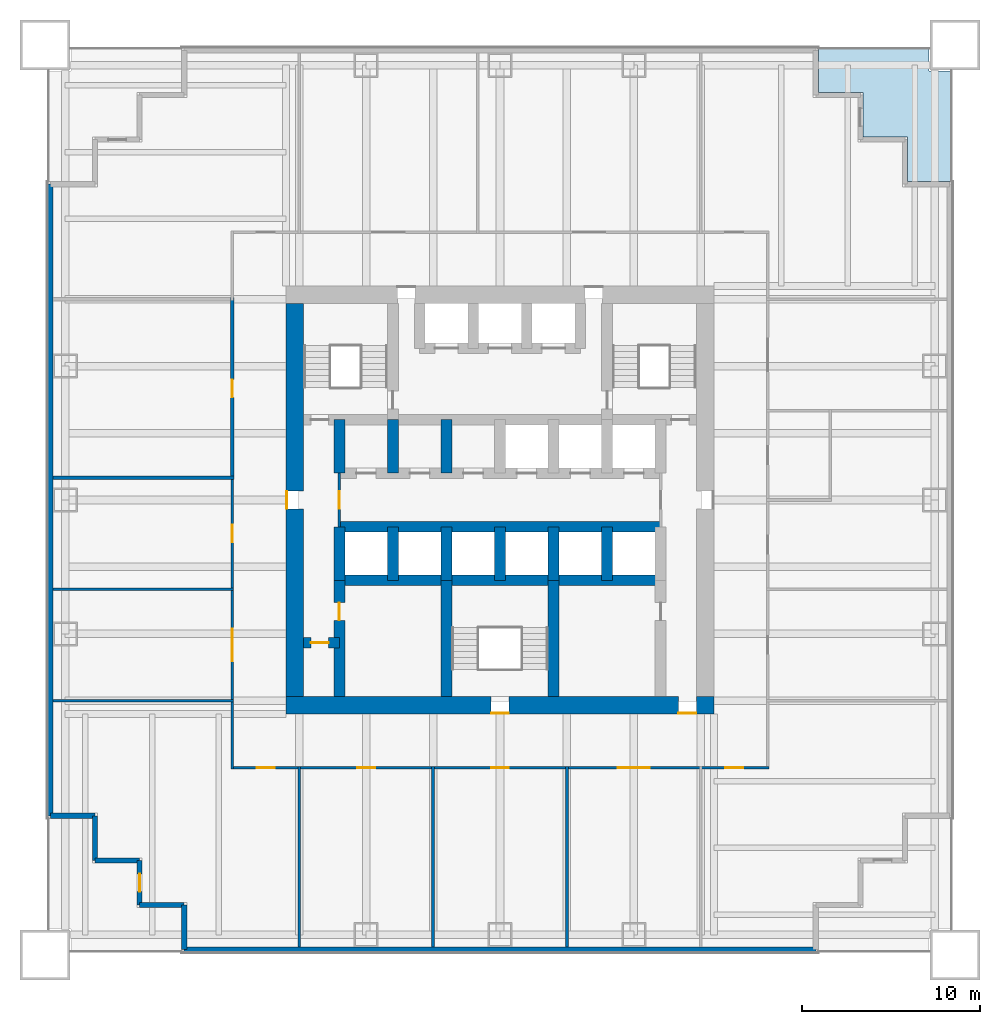
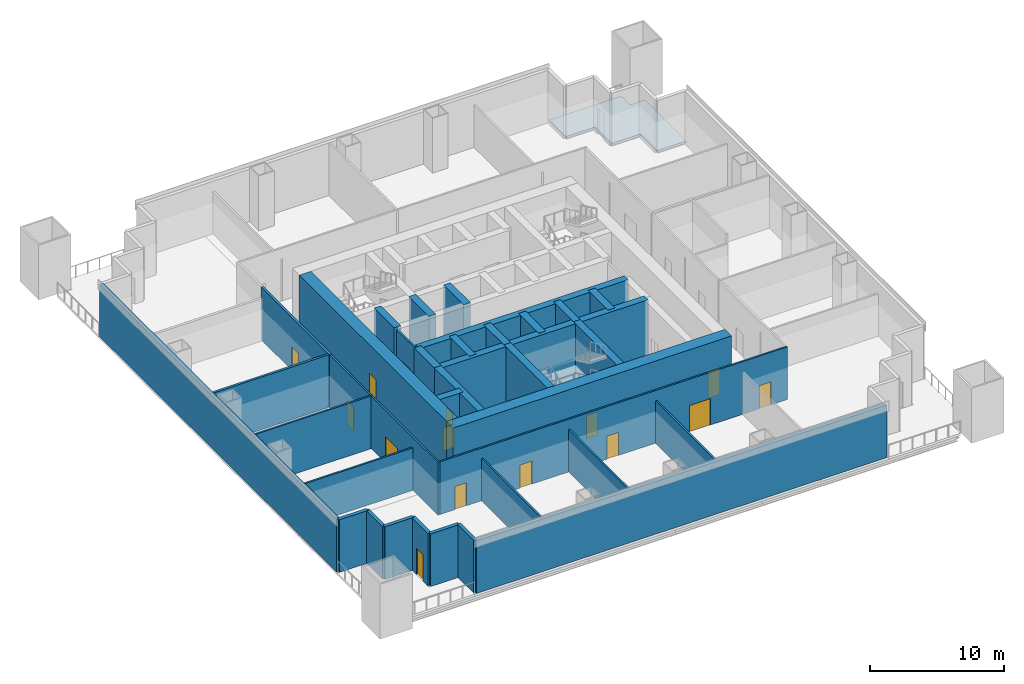
# One storey, part 2 of 6: 35 walls, 15 doors, 1 slab, 15 openings.
"""IFC4 building model written with IfcOpenShell, lengths in metres."""

from ifc_helpers import new_model, si_unit, direction, frame, frame_2d, origin, place, context, subcontext, project, spatial, polyline, rectangle, outline, extrude, material, layer, layer_set, type_object, element, fill, save


model = new_model("IFC4")

# Units and contexts
model_context = context("Model", 3, precision=1e-05, world=origin(), true_north=direction((0.0, 1.0)))
body_context = subcontext(model_context, "Body", "Model", "MODEL_VIEW")
ifc_project = project(units=[si_unit("LENGTHUNIT", "METRE"), si_unit("AREAUNIT", "SQUARE_METRE"), si_unit("VOLUMEUNIT", "CUBIC_METRE"), si_unit("PLANEANGLEUNIT", "RADIAN"), si_unit("MASSUNIT", "GRAM", prefix="KILO")], contexts=[model_context])

# Site, building, storey
site_placement = place(None, origin())
site = spatial("IfcSite", under=ifc_project, at=site_placement, CompositionType="ELEMENT")
building_placement = place(site_placement, origin())
building = spatial("IfcBuilding", under=site, at=building_placement, Name="Tarangal Relay Tower", CompositionType="ELEMENT")
storey_placement = place(building_placement, frame((0.0, 0.0, 83.39990234375)))
storey = spatial("IfcBuildingStorey", under=building, at=storey_placement, Name="L16", CompositionType="ELEMENT", Elevation=83.39990234375)

# Slab
ifc_material_1 = material(Name="Concrete fc' 35 MPa", Category="concrete")
ifc_layer_1 = layer(ifc_material_1, 0.199951171875)
ifc_layer_set_1 = layer_set([ifc_layer_1], Name="Terrace slab 200")
slab_type = type_object("IfcSlabType", Name="Terrace slab 200", PredefinedType="FLOOR", material=ifc_layer_set_1)
slab_placement = place(storey_placement, frame((0.0, 0.0, -0.199951171875)))
element("IfcSlab", 1, at=slab_placement, inside=storey, type_object=slab_type, Name="Corner terrace NE L16", PredefinedType="FLOOR", context=body_context, shape_type="SweptSolid", body=[
    extrude(outline(polyline([(17.85009765625, 25.35009765625), (17.85009765625, 22.85009765625), (20.35009765625, 22.85009765625), (20.35009765625, 20.35009765625), (22.85009765625, 20.35009765625), (22.85009765625, 17.85009765625), (25.35009765625, 17.85009765625), (25.35009765625, 24.050048828125), (24.050048828125, 24.050048828125), (24.050048828125, 25.35009765625), (17.85009765625, 25.35009765625)])), origin(), (0.0, 0.0, 1.0), 0.199951171875),
])

# Wall
ifc_material_2 = material(Name="Two layers gypsum board each side on twin steel studs, mineral wool", Category="steel")
ifc_layer_2 = layer(ifc_material_2, 0.199951171875)
ifc_layer_set_2 = layer_set([ifc_layer_2], Name="Acoustic partition 200")
wall_type_1 = type_object("IfcWallType", Name="Acoustic partition 200", PredefinedType="PARTITIONING", material=ifc_layer_set_2)
wall_1_placement = place(storey_placement, frame((-25.050048828125, 1.25, 0.0), z_axis=(0.0, 0.0, 1.0), x_axis=(1.0, 0.0, 0.0)))
element("IfcWall", 2, at=wall_1_placement, inside=storey, type_object=wall_type_1, Name="Partition PT2 L16", PredefinedType="PARTITIONING", context=body_context, shape_type="SweptSolid", body=[
    extrude(rectangle(XDim=10.150146484375, YDim=0.199951171875, at=frame_2d((5.0751953125, 0.0))), origin(), (0.0, 0.0, 1.0), 4.800048828125),
])

# Wall, opening, door
wall_2_placement = place(storey_placement, frame((-15.0, 1.14990234375, 0.0), z_axis=(0.0, 0.0, 1.0), x_axis=(0.0, 1.0, 0.0)))
wall_2 = element("IfcWall", 3, at=wall_2_placement, inside=storey, type_object=wall_type_1, Name="Partition PT2 L16", PredefinedType="PARTITIONING", context=body_context, shape_type="SweptSolid", body=[
    extrude(rectangle(XDim=10.2001953125, YDim=0.199951171875, at=frame_2d((5.10009765625, 0.0))), origin(), (0.0, 0.0, 1.0), 4.800048828125),
])
opening_1_placement = place(wall_2_placement, frame((4.60009765625, 0.0, 0.0)))
opening_1 = element("IfcOpeningElement", 4, at=opening_1_placement, cuts=wall_2, Name="Opening D2", PredefinedType="OPENING", context=body_context, shape_type="SweptSolid", body=[
    extrude(rectangle(XDim=1.0, YDim=2.10009765625, at=frame_2d((0.5, 1.050048828125))), frame((0.0, 0.10986328125, 0.0), z_axis=(0.0, -1.0, 0.0), x_axis=(1.0, 0.0, 0.0)), (0.0, 0.0, 1.0), 0.219970703125),
])
ifc_material_3 = material(Name="Hardwood door", Category="wood")
door_type_1 = type_object("IfcDoorType", Name="Door 1000 x 2100", OperationType="SINGLE_SWING_LEFT", PredefinedType="DOOR", material=ifc_material_3)
door_1_placement = place(opening_1_placement, origin())
door_1 = element("IfcDoor", 5, at=door_1_placement, inside=storey, type_object=door_type_1, Name="Door D2 to quiet room L16-13", OperationType="SINGLE_SWING_LEFT", OverallHeight=2.10009765625, OverallWidth=1.0, PredefinedType="DOOR", context=body_context, shape_type="SweptSolid", body=[
    extrude(rectangle(XDim=1.0, YDim=2.10009765625, at=frame_2d((0.5, 1.050048828125))), frame((0.0, 0.02490234375, 0.0), z_axis=(0.0, -1.0, 0.0), x_axis=(1.0, 0.0, 0.0)), (0.0, 0.0, 1.0), 0.050048828125),
])
fill(opening_1, door_1)

# Walls
ifc_material_4 = material(Name="Concrete fc' 60 MPa", Category="concrete")
ifc_layer_3 = layer(ifc_material_4, 0.60009765625)
ifc_layer_set_3 = layer_set([ifc_layer_3], Name="Core inner wall 600")
wall_type_2 = type_object("IfcWallType", Name="Core inner wall 600", PredefinedType="SHEAR", material=ifc_layer_set_3)
for number, where, z_axis, x_axis, name in (
    (6, (-9.0, -1.5, 0.0), (0.0, 0.0, 1.0), (1.0, 0.0, 0.0), "Core wall YM15 L16"),
    (7, (-9.0, -4.5, 0.0), (0.0, 0.0, 1.0), (1.0, 0.0, 0.0), "Core wall YM45 L16"),
):
    element("IfcWall", number, at=place(storey_placement, frame(where, z_axis=z_axis, x_axis=x_axis)), inside=storey, type_object=wall_type_2, Name=name, PredefinedType="SHEAR", context=body_context, shape_type="SweptSolid", body=[
        extrude(rectangle(XDim=18.0, YDim=0.60009765625, at=frame_2d((9.0, 0.0))), origin(), (0.0, 0.0, 1.0), 5.0),
    ])

# Wall, opening, door
wall_3_placement = place(storey_placement, frame((-11.0, -8.0, 0.0), z_axis=(0.0, 0.0, 1.0), x_axis=(1.0, 0.0, 0.0)))
wall_3 = element("IfcWall", 8, at=wall_3_placement, inside=storey, type_object=wall_type_2, Name="Core wall YM8 L16", PredefinedType="SHEAR", context=body_context, shape_type="SweptSolid", body=[
    extrude(rectangle(XDim=2.0, YDim=0.60009765625, at=frame_2d((1.0, 0.0))), origin(), (0.0, 0.0, 1.0), 5.0),
])
opening_2_placement = place(wall_3_placement, frame((0.39990234375, 0.0, 0.0)))
opening_2 = element("IfcOpeningElement", 9, at=opening_2_placement, cuts=wall_3, Name="Opening D1", PredefinedType="OPENING", context=body_context, shape_type="SweptSolid", body=[
    extrude(rectangle(XDim=1.0, YDim=2.10009765625, at=frame_2d((0.5, 1.050048828125))), frame((0.0, 0.31005859375, 0.0), z_axis=(0.0, -1.0, 0.0), x_axis=(1.0, 0.0, 0.0)), (0.0, 0.0, 1.0), 0.6201171875),
])
door_type_2 = type_object("IfcDoorType", Name="WC door 1000 x 2100", OperationType="SINGLE_SWING_LEFT", PredefinedType="DOOR", material=ifc_material_3)
door_2_placement = place(opening_2_placement, origin())
door_2 = element("IfcDoor", 10, at=door_2_placement, inside=storey, type_object=door_type_2, Name="Accessible WC door L16", OperationType="SINGLE_SWING_LEFT", OverallHeight=2.10009765625, OverallWidth=1.0, PredefinedType="DOOR", context=body_context, shape_type="SweptSolid", body=[
    extrude(rectangle(XDim=1.0, YDim=2.10009765625, at=frame_2d((0.5, 1.050048828125))), frame((0.0, 0.02490234375, 0.0), z_axis=(0.0, -1.0, 0.0), x_axis=(1.0, 0.0, 0.0)), (0.0, 0.0, 1.0), 0.050048828125),
])
fill(opening_2, door_2)

# Walls
for number, where, z_axis, x_axis, name in (
    (11, (-9.0, 1.5, 0.0), (0.0, 0.0, 1.0), (0.0, 1.0, 0.0), "Core wall XM9N L16"),
    (12, (-9.0, -4.5, 0.0), (0.0, 0.0, 1.0), (0.0, 1.0, 0.0), "Core wall XM9S L16"),
    (13, (-6.0, 1.5, 0.0), (0.0, 0.0, 1.0), (0.0, 1.0, 0.0), "Core wall XM6N L16"),
    (14, (-3.0, 1.5, 0.0), (0.0, 0.0, 1.0), (0.0, 1.0, 0.0), "Core wall XM3N L16"),
    (15, (-6.0, -4.5, 0.0), (0.0, 0.0, 1.0), (0.0, 1.0, 0.0), "Core wall XM6S L16"),
    (16, (-3.0, -4.5, 0.0), (0.0, 0.0, 1.0), (0.0, 1.0, 0.0), "Core wall XM3S L16"),
    (17, (0.0, -4.5, 0.0), (0.0, 0.0, 1.0), (0.0, 1.0, 0.0), "Core wall X0S L16"),
    (18, (3.0, -4.5, 0.0), (0.0, 0.0, 1.0), (0.0, 1.0, 0.0), "Core wall X3S L16"),
    (19, (6.0, -4.5, 0.0), (0.0, 0.0, 1.0), (0.0, 1.0, 0.0), "Core wall X6S L16"),
):
    element("IfcWall", number, at=place(storey_placement, frame(where, z_axis=z_axis, x_axis=x_axis)), inside=storey, type_object=wall_type_2, Name=name, PredefinedType="SHEAR", context=body_context, shape_type="SweptSolid", body=[
        extrude(rectangle(XDim=3.0, YDim=0.60009765625, at=frame_2d((1.5, 0.0))), origin(), (0.0, 0.0, 1.0), 5.0),
    ])

# Wall, opening, door
wall_4_placement = place(storey_placement, frame((-9.0, -11.0, 0.0), z_axis=(0.0, 0.0, 1.0), x_axis=(0.0, 1.0, 0.0)))
wall_4 = element("IfcWall", 20, at=wall_4_placement, inside=storey, type_object=wall_type_2, Name="Core wall XM9W L16", PredefinedType="SHEAR", context=body_context, shape_type="SweptSolid", body=[
    extrude(rectangle(XDim=6.5, YDim=0.60009765625, at=frame_2d((3.25, 0.0))), origin(), (0.0, 0.0, 1.0), 5.0),
])
opening_3_placement = place(wall_4_placement, frame((4.25, 0.0, 0.0)))
opening_3 = element("IfcOpeningElement", 21, at=opening_3_placement, cuts=wall_4, Name="Opening D1", PredefinedType="OPENING", context=body_context, shape_type="SweptSolid", body=[
    extrude(rectangle(XDim=1.0, YDim=2.10009765625, at=frame_2d((0.5, 1.050048828125))), frame((0.0, 0.31005859375, 0.0), z_axis=(0.0, -1.0, 0.0), x_axis=(1.0, 0.0, 0.0)), (0.0, 0.0, 1.0), 0.6201171875),
])
door_3_placement = place(opening_3_placement, origin())
door_3 = element("IfcDoor", 22, at=door_3_placement, inside=storey, type_object=door_type_2, Name="Male WC door L16", OperationType="SINGLE_SWING_LEFT", OverallHeight=2.10009765625, OverallWidth=1.0, PredefinedType="DOOR", context=body_context, shape_type="SweptSolid", body=[
    extrude(rectangle(XDim=1.0, YDim=2.10009765625, at=frame_2d((0.5, 1.050048828125))), frame((0.0, 0.02490234375, 0.0), z_axis=(0.0, -1.0, 0.0), x_axis=(1.0, 0.0, 0.0)), (0.0, 0.0, 1.0), 0.050048828125),
])
fill(opening_3, door_3)

# Walls
for number, where, z_axis, x_axis, name in (
    (23, (-3.0, -11.0, 0.0), (0.0, 0.0, 1.0), (0.0, 1.0, 0.0), "Core wall XM3W L16"),
    (24, (3.0, -11.0, 0.0), (0.0, 0.0, 1.0), (0.0, 1.0, 0.0), "Core wall X3W L16"),
):
    element("IfcWall", number, at=place(storey_placement, frame(where, z_axis=z_axis, x_axis=x_axis)), inside=storey, type_object=wall_type_2, Name=name, PredefinedType="SHEAR", context=body_context, shape_type="SweptSolid", body=[
        extrude(rectangle(XDim=6.5, YDim=0.60009765625, at=frame_2d((3.25, 0.0))), origin(), (0.0, 0.0, 1.0), 5.0),
    ])

# Wall, openings, doors
ifc_layer_4 = layer(ifc_material_4, 1.0)
ifc_layer_set_4 = layer_set([ifc_layer_4], Name="Core wall 1000")
wall_type_3 = type_object("IfcWallType", Name="Core wall 1000", PredefinedType="SHEAR", material=ifc_layer_set_4)
wall_5_placement = place(storey_placement, frame((12.0, -11.5, 0.0), z_axis=(0.0, 0.0, 1.0), x_axis=(-1.0, 0.0, 0.0)))
wall_5 = element("IfcWall", 25, at=wall_5_placement, inside=storey, type_object=wall_type_3, Name="Core wall S L16", PredefinedType="SHEAR", context=body_context, shape_type="SweptSolid", body=[
    extrude(rectangle(XDim=24.0, YDim=1.0, at=frame_2d((12.0, 0.0))), origin(), (0.0, 0.0, 1.0), 5.0),
])
opening_4_placement = place(wall_5_placement, frame((11.5, 0.0, 0.0)))
opening_4 = element("IfcOpeningElement", 26, at=opening_4_placement, cuts=wall_5, Name="Opening FD1", PredefinedType="OPENING", context=body_context, shape_type="SweptSolid", body=[
    extrude(rectangle(XDim=1.0, YDim=2.10009765625, at=frame_2d((0.5, 1.050048828125))), frame((0.0, 0.510009765625, 0.0), z_axis=(0.0, -1.0, 0.0), x_axis=(1.0, 0.0, 0.0)), (0.0, 0.0, 1.0), 1.02001953125),
])
opening_5_placement = place(wall_5_placement, frame((1.0, 0.0, 0.0)))
opening_5 = element("IfcOpeningElement", 27, at=opening_5_placement, cuts=wall_5, Name="Opening FD3", PredefinedType="OPENING", context=body_context, shape_type="SweptSolid", body=[
    extrude(rectangle(XDim=1.0, YDim=2.39990234375, at=frame_2d((0.5, 1.199951171875))), frame((0.0, 0.510009765625, 0.0), z_axis=(0.0, -1.0, 0.0), x_axis=(1.0, 0.0, 0.0)), (0.0, 0.0, 1.0), 1.02001953125),
])
ifc_material_5 = material(Name="Steel door with hardwood frame", Category="steel")
door_type_3 = type_object("IfcDoorType", Name="Fire door 1000 x 2100", OperationType="SINGLE_SWING_LEFT", PredefinedType="DOOR", material=ifc_material_5)
door_4_placement = place(opening_4_placement, origin())
door_4 = element("IfcDoor", 28, at=door_4_placement, inside=storey, type_object=door_type_3, Name="Stair ST-C door L16", OperationType="SINGLE_SWING_LEFT", OverallHeight=2.10009765625, OverallWidth=1.0, PredefinedType="DOOR", context=body_context, shape_type="SweptSolid", body=[
    extrude(rectangle(XDim=1.0, YDim=2.10009765625, at=frame_2d((0.5, 1.050048828125))), frame((0.0, 0.48486328125, 0.0), z_axis=(0.0, -1.0, 0.0), x_axis=(1.0, 0.0, 0.0)), (0.0, 0.0, 1.0), 0.050048828125),
])
fill(opening_4, door_4)
door_type_4 = type_object("IfcDoorType", Name="Fire door 1000 x 2400 core entry", OperationType="SINGLE_SWING_RIGHT", PredefinedType="DOOR", material=ifc_material_5)
door_5_placement = place(opening_5_placement, origin())
door_5 = element("IfcDoor", 29, at=door_5_placement, inside=storey, type_object=door_type_4, Name="Core entry door south east L16", OperationType="SINGLE_SWING_RIGHT", OverallHeight=2.39990234375, OverallWidth=1.0, PredefinedType="DOOR", context=body_context, shape_type="SweptSolid", body=[
    extrude(rectangle(XDim=1.0, YDim=2.39990234375, at=frame_2d((0.5, 1.199951171875))), frame((0.0, 0.48486328125, 0.0), z_axis=(0.0, -1.0, 0.0), x_axis=(1.0, 0.0, 0.0)), (0.0, 0.0, 1.0), 0.050048828125),
])
fill(opening_5, door_5)

# Wall, opening, door
wall_6_placement = place(storey_placement, frame((-11.5, -11.0, 0.0), z_axis=(0.0, 0.0, 1.0), x_axis=(0.0, 1.0, 0.0)))
wall_6 = element("IfcWall", 30, at=wall_6_placement, inside=storey, type_object=wall_type_3, Name="Core wall W L16", PredefinedType="SHEAR", context=body_context, shape_type="SweptSolid", body=[
    extrude(rectangle(XDim=22.0, YDim=1.0, at=frame_2d((11.0, 0.0))), origin(), (0.0, 0.0, 1.0), 5.0),
])
opening_6_placement = place(wall_6_placement, frame((10.5, 0.0, 0.0)))
opening_6 = element("IfcOpeningElement", 31, at=opening_6_placement, cuts=wall_6, Name="Opening FD3", PredefinedType="OPENING", context=body_context, shape_type="SweptSolid", body=[
    extrude(rectangle(XDim=1.0, YDim=2.39990234375, at=frame_2d((0.5, 1.199951171875))), frame((0.0, 0.510009765625, 0.0), z_axis=(0.0, -1.0, 0.0), x_axis=(1.0, 0.0, 0.0)), (0.0, 0.0, 1.0), 1.02001953125),
])
door_6_placement = place(opening_6_placement, origin())
door_6 = element("IfcDoor", 32, at=door_6_placement, inside=storey, type_object=door_type_4, Name="Core entry door west L16", OperationType="SINGLE_SWING_RIGHT", OverallHeight=2.39990234375, OverallWidth=1.0, PredefinedType="DOOR", context=body_context, shape_type="SweptSolid", body=[
    extrude(rectangle(XDim=1.0, YDim=2.39990234375, at=frame_2d((0.5, 1.199951171875))), frame((0.0, 0.48486328125, 0.0), z_axis=(0.0, -1.0, 0.0), x_axis=(1.0, 0.0, 0.0)), (0.0, 0.0, 1.0), 0.050048828125),
])
fill(opening_6, door_6)

# Walls
ifc_material_6 = material(Name="Insulated precast concrete fc' 40 MPa", Category="concrete")
ifc_layer_5 = layer(ifc_material_6, 0.300048828125)
ifc_layer_set_5 = layer_set([ifc_layer_5], Name="Insulated precast concrete fc' 40 MPa")
wall_type_4 = type_object("IfcWallType", Name="Facade wall precast 300", PredefinedType="SOLIDWALL", material=ifc_layer_set_5)
wall_7_placement = place(storey_placement, frame((17.699951171875, -25.199951171875, 0.0), z_axis=(0.0, 0.0, 1.0), x_axis=(-1.0, 0.0, 0.0)))
element("IfcWall", 33, at=wall_7_placement, inside=storey, type_object=wall_type_4, Name="Facade wall S facade L16", PredefinedType="SOLIDWALL", context=body_context, shape_type="SweptSolid", body=[
    extrude(rectangle(XDim=35.39990234375, YDim=0.300048828125, at=frame_2d((17.699951171875, 0.0))), origin(), (0.0, 0.0, 1.0), 4.800048828125),
])
for number, where, z_axis, x_axis, name in (
    (34, (-17.699951171875, -25.199951171875, 0.0), (0.0, 0.0, 1.0), (0.0, 1.0, 0.0), "Facade wall S facade L16"),
    (35, (-17.699951171875, -22.699951171875, 0.0), (0.0, 0.0, 1.0), (-1.0, 0.0, 0.0), "Facade wall S facade L16"),
):
    element("IfcWall", number, at=place(storey_placement, frame(where, z_axis=z_axis, x_axis=x_axis)), inside=storey, type_object=wall_type_4, Name=name, PredefinedType="SOLIDWALL", context=body_context, shape_type="SweptSolid", body=[
        extrude(rectangle(XDim=2.5, YDim=0.300048828125, at=frame_2d((1.25, 0.0))), origin(), (0.0, 0.0, 1.0), 4.800048828125),
    ])

# Wall, opening, door
wall_8_placement = place(storey_placement, frame((-20.199951171875, -22.699951171875, 0.0), z_axis=(0.0, 0.0, 1.0), x_axis=(0.0, 1.0, 0.0)))
wall_8 = element("IfcWall", 36, at=wall_8_placement, inside=storey, type_object=wall_type_4, Name="Facade wall S facade L16", PredefinedType="SOLIDWALL", context=body_context, shape_type="SweptSolid", body=[
    extrude(rectangle(XDim=2.5, YDim=0.300048828125, at=frame_2d((1.25, 0.0))), origin(), (0.0, 0.0, 1.0), 4.800048828125),
])
opening_7_placement = place(wall_8_placement, frame((0.75, 0.0, 0.0)))
opening_7 = element("IfcOpeningElement", 37, at=opening_7_placement, cuts=wall_8, Name="Opening TD1", PredefinedType="OPENING", context=body_context, shape_type="SweptSolid", body=[
    extrude(rectangle(XDim=1.0, YDim=2.39990234375, at=frame_2d((0.5, 1.199951171875))), frame((0.0, 0.159912109375, 0.0), z_axis=(0.0, -1.0, 0.0), x_axis=(1.0, 0.0, 0.0)), (0.0, 0.0, 1.0), 0.320068359375),
])
ifc_material_7 = material(Name="Aluminium glazed door", Category="aluminium")
door_type_5 = type_object("IfcDoorType", Name="Terrace door 1000 x 2400", OperationType="SINGLE_SWING_RIGHT", PredefinedType="DOOR", material=ifc_material_7)
door_7_placement = place(opening_7_placement, origin())
door_7 = element("IfcDoor", 38, at=door_7_placement, inside=storey, type_object=door_type_5, Name="Terrace door TD1 SW L16", OperationType="SINGLE_SWING_RIGHT", OverallHeight=2.39990234375, OverallWidth=1.0, PredefinedType="DOOR", context=body_context, shape_type="SweptSolid", body=[
    extrude(rectangle(XDim=1.0, YDim=2.39990234375, at=frame_2d((0.5, 1.199951171875))), frame((0.0, 0.02490234375, 0.0), z_axis=(0.0, -1.0, 0.0), x_axis=(1.0, 0.0, 0.0)), (0.0, 0.0, 1.0), 0.050048828125),
])
fill(opening_7, door_7)

# Walls
for number, where, z_axis, x_axis, name in (
    (39, (-20.199951171875, -20.199951171875, 0.0), (0.0, 0.0, 1.0), (-1.0, 0.0, 0.0), "Facade wall S facade L16"),
    (40, (-22.699951171875, -20.199951171875, 0.0), (0.0, 0.0, 1.0), (0.0, 1.0, 0.0), "Facade wall S facade L16"),
    (41, (-22.699951171875, -17.699951171875, 0.0), (0.0, 0.0, 1.0), (-1.0, 0.0, 0.0), "Facade wall S facade L16"),
):
    element("IfcWall", number, at=place(storey_placement, frame(where, z_axis=z_axis, x_axis=x_axis)), inside=storey, type_object=wall_type_4, Name=name, PredefinedType="SOLIDWALL", context=body_context, shape_type="SweptSolid", body=[
        extrude(rectangle(XDim=2.5, YDim=0.300048828125, at=frame_2d((1.25, 0.0))), origin(), (0.0, 0.0, 1.0), 4.800048828125),
    ])
wall_9_placement = place(storey_placement, frame((-25.199951171875, -17.699951171875, 0.0), z_axis=(0.0, 0.0, 1.0), x_axis=(0.0, 1.0, 0.0)))
element("IfcWall", 42, at=wall_9_placement, inside=storey, type_object=wall_type_4, Name="Facade wall W facade L16", PredefinedType="SOLIDWALL", context=body_context, shape_type="SweptSolid", body=[
    extrude(rectangle(XDim=35.39990234375, YDim=0.300048828125, at=frame_2d((17.699951171875, 0.0))), origin(), (0.0, 0.0, 1.0), 4.800048828125),
])

# Wall, openings, doors
ifc_material_8 = material(Name="Gypsum board on steel studs", Category="steel")
ifc_layer_6 = layer(ifc_material_8, 0.14990234375)
ifc_layer_set_6 = layer_set([ifc_layer_6], Name="Partition 150")
wall_type_5 = type_object("IfcWallType", Name="Partition 150", PredefinedType="PARTITIONING", material=ifc_layer_set_6)
wall_10_placement = place(storey_placement, frame((-15.074951171875, -15.0, 0.0), z_axis=(0.0, 0.0, 1.0), x_axis=(1.0, 0.0, 0.0)))
wall_10 = element("IfcWall", 43, at=wall_10_placement, inside=storey, type_object=wall_type_5, Name="Partition PT1 L16", PredefinedType="PARTITIONING", context=body_context, shape_type="SweptSolid", body=[
    extrude(rectangle(XDim=30.14990234375, YDim=0.14990234375, at=frame_2d((15.074951171875, 0.0))), origin(), (0.0, 0.0, 1.0), 4.800048828125),
])
opening_8_placement = place(wall_10_placement, frame((21.675048828125, 0.0, 0.0)))
opening_8 = element("IfcOpeningElement", 44, at=opening_8_placement, cuts=wall_10, Name="Opening DD1", PredefinedType="OPENING", context=body_context, shape_type="SweptSolid", body=[
    extrude(rectangle(XDim=1.800048828125, YDim=2.39990234375, at=frame_2d((0.89990234375, 1.199951171875))), frame((0.0, 0.0849609375, 0.0), z_axis=(0.0, -1.0, 0.0), x_axis=(1.0, 0.0, 0.0)), (0.0, 0.0, 1.0), 0.169921875),
])
opening_9_placement = place(wall_10_placement, frame((14.574951171875, 0.0, 0.0)))
opening_9 = element("IfcOpeningElement", 45, at=opening_9_placement, cuts=wall_10, Name="Opening D2", PredefinedType="OPENING", context=body_context, shape_type="SweptSolid", body=[
    extrude(rectangle(XDim=1.0, YDim=2.10009765625, at=frame_2d((0.5, 1.050048828125))), frame((0.0, 0.0849609375, 0.0), z_axis=(0.0, -1.0, 0.0), x_axis=(1.0, 0.0, 0.0)), (0.0, 0.0, 1.0), 0.169921875),
])
opening_10_placement = place(wall_10_placement, frame((7.074951171875, 0.0, 0.0)))
opening_10 = element("IfcOpeningElement", 46, at=opening_10_placement, cuts=wall_10, Name="Opening D2", PredefinedType="OPENING", context=body_context, shape_type="SweptSolid", body=[
    extrude(rectangle(XDim=1.0, YDim=2.10009765625, at=frame_2d((0.5, 1.050048828125))), frame((0.0, 0.0849609375, 0.0), z_axis=(0.0, -1.0, 0.0), x_axis=(1.0, 0.0, 0.0)), (0.0, 0.0, 1.0), 0.169921875),
])
opening_11_placement = place(wall_10_placement, frame((27.699951171875, 0.0, 0.0)))
opening_11 = element("IfcOpeningElement", 47, at=opening_11_placement, cuts=wall_10, Name="Opening D2", PredefinedType="OPENING", context=body_context, shape_type="SweptSolid", body=[
    extrude(rectangle(XDim=1.0, YDim=2.10009765625, at=frame_2d((0.5, 1.050048828125))), frame((0.0, 0.0849609375, 0.0), z_axis=(0.0, -1.0, 0.0), x_axis=(1.0, 0.0, 0.0)), (0.0, 0.0, 1.0), 0.169921875),
])
opening_12_placement = place(wall_10_placement, frame((1.449951171875, 0.0, 0.0)))
opening_12 = element("IfcOpeningElement", 48, at=opening_12_placement, cuts=wall_10, Name="Opening D2", PredefinedType="OPENING", context=body_context, shape_type="SweptSolid", body=[
    extrude(rectangle(XDim=1.0, YDim=2.10009765625, at=frame_2d((0.5, 1.050048828125))), frame((0.0, 0.0849609375, 0.0), z_axis=(0.0, -1.0, 0.0), x_axis=(1.0, 0.0, 0.0)), (0.0, 0.0, 1.0), 0.169921875),
])
door_8_placement = place(opening_9_placement, origin())
door_8 = element("IfcDoor", 49, at=door_8_placement, inside=storey, type_object=door_type_1, Name="Door D2 to tape library room L16-09", OperationType="SINGLE_SWING_LEFT", OverallHeight=2.10009765625, OverallWidth=1.0, PredefinedType="DOOR", context=body_context, shape_type="SweptSolid", body=[
    extrude(rectangle(XDim=1.0, YDim=2.10009765625, at=frame_2d((0.5, 1.050048828125))), frame((0.0, 0.02490234375, 0.0), z_axis=(0.0, -1.0, 0.0), x_axis=(1.0, 0.0, 0.0)), (0.0, 0.0, 1.0), 0.050048828125),
])
fill(opening_9, door_8)
door_9_placement = place(opening_10_placement, origin())
door_9 = element("IfcDoor", 50, at=door_9_placement, inside=storey, type_object=door_type_1, Name="Door D2 to customer build and test room L16-10", OperationType="SINGLE_SWING_LEFT", OverallHeight=2.10009765625, OverallWidth=1.0, PredefinedType="DOOR", context=body_context, shape_type="SweptSolid", body=[
    extrude(rectangle(XDim=1.0, YDim=2.10009765625, at=frame_2d((0.5, 1.050048828125))), frame((0.0, 0.02490234375, 0.0), z_axis=(0.0, -1.0, 0.0), x_axis=(1.0, 0.0, 0.0)), (0.0, 0.0, 1.0), 0.050048828125),
])
fill(opening_10, door_9)
door_10_placement = place(opening_11_placement, origin())
door_10 = element("IfcDoor", 51, at=door_10_placement, inside=storey, type_object=door_type_1, Name="Door D2 to customer office L16-15", OperationType="SINGLE_SWING_LEFT", OverallHeight=2.10009765625, OverallWidth=1.0, PredefinedType="DOOR", context=body_context, shape_type="SweptSolid", body=[
    extrude(rectangle(XDim=1.0, YDim=2.10009765625, at=frame_2d((0.5, 1.050048828125))), frame((0.0, 0.02490234375, 0.0), z_axis=(0.0, -1.0, 0.0), x_axis=(1.0, 0.0, 0.0)), (0.0, 0.0, 1.0), 0.050048828125),
])
fill(opening_11, door_10)
door_11_placement = place(opening_12_placement, origin())
door_11 = element("IfcDoor", 52, at=door_11_placement, inside=storey, type_object=door_type_1, Name="Door D2 to security office L16-16", OperationType="SINGLE_SWING_LEFT", OverallHeight=2.10009765625, OverallWidth=1.0, PredefinedType="DOOR", context=body_context, shape_type="SweptSolid", body=[
    extrude(rectangle(XDim=1.0, YDim=2.10009765625, at=frame_2d((0.5, 1.050048828125))), frame((0.0, 0.02490234375, 0.0), z_axis=(0.0, -1.0, 0.0), x_axis=(1.0, 0.0, 0.0)), (0.0, 0.0, 1.0), 0.050048828125),
])
fill(opening_12, door_11)
door_type_6 = type_object("IfcDoorType", Name="Equipment double door 1800 x 2400", OperationType="DOUBLE_DOOR_SINGLE_SWING", PredefinedType="DOOR", material=ifc_material_5)
door_12_placement = place(opening_8_placement, origin())
door_12 = element("IfcDoor", 53, at=door_12_placement, inside=storey, type_object=door_type_6, Name="Door DD1 to electrical room L16-08", OperationType="DOUBLE_DOOR_SINGLE_SWING", OverallHeight=2.39990234375, OverallWidth=1.800048828125, PredefinedType="DOOR", context=body_context, shape_type="SweptSolid", body=[
    extrude(rectangle(XDim=1.800048828125, YDim=2.39990234375, at=frame_2d((0.89990234375, 1.199951171875))), frame((0.0, 0.02490234375, 0.0), z_axis=(0.0, -1.0, 0.0), x_axis=(1.0, 0.0, 0.0)), (0.0, 0.0, 1.0), 0.050048828125),
])
fill(opening_8, door_12)

# Walls
wall_11_placement = place(storey_placement, frame((-25.050048828125, -11.25, 0.0), z_axis=(0.0, 0.0, 1.0), x_axis=(1.0, 0.0, 0.0)))
element("IfcWall", 54, at=wall_11_placement, inside=storey, type_object=wall_type_5, Name="Partition PT1 L16", PredefinedType="PARTITIONING", context=body_context, shape_type="SweptSolid", body=[
    extrude(rectangle(XDim=10.125, YDim=0.14990234375, at=frame_2d((5.0625, 0.0))), origin(), (0.0, 0.0, 1.0), 3.852783203125),
])
wall_12_placement = place(storey_placement, frame((-25.050048828125, -5.0, 0.0), z_axis=(0.0, 0.0, 1.0), x_axis=(1.0, 0.0, 0.0)))
element("IfcWall", 55, at=wall_12_placement, inside=storey, type_object=wall_type_5, Name="Partition PT1 L16", PredefinedType="PARTITIONING", context=body_context, shape_type="SweptSolid", body=[
    extrude(rectangle(XDim=10.125, YDim=0.14990234375, at=frame_2d((5.0625, 0.0))), origin(), (0.0, 0.0, 1.0), 4.800048828125),
])

# Wall, openings, doors
wall_13_placement = place(storey_placement, frame((-15.0, -15.074951171875, 0.0), z_axis=(0.0, 0.0, 1.0), x_axis=(0.0, 1.0, 0.0)))
wall_13 = element("IfcWall", 56, at=wall_13_placement, inside=storey, type_object=wall_type_5, Name="Partition PT1 L16", PredefinedType="PARTITIONING", context=body_context, shape_type="SweptSolid", body=[
    extrude(rectangle(XDim=16.39990234375, YDim=0.14990234375, at=frame_2d((8.199951171875, 0.0))), origin(), (0.0, 0.0, 1.0), 4.800048828125),
])
opening_13_placement = place(wall_13_placement, frame((6.050048828125, 0.0, 0.0)))
opening_13 = element("IfcOpeningElement", 57, at=opening_13_placement, cuts=wall_13, Name="Opening DD1", PredefinedType="OPENING", context=body_context, shape_type="SweptSolid", body=[
    extrude(rectangle(XDim=1.800048828125, YDim=2.39990234375, at=frame_2d((0.89990234375, 1.199951171875))), frame((0.0, 0.0849609375, 0.0), z_axis=(0.0, -1.0, 0.0), x_axis=(1.0, 0.0, 0.0)), (0.0, 0.0, 1.0), 0.169921875),
])
opening_14_placement = place(wall_13_placement, frame((12.699951171875, 0.0, 0.0)))
opening_14 = element("IfcOpeningElement", 58, at=opening_14_placement, cuts=wall_13, Name="Opening D2", PredefinedType="OPENING", context=body_context, shape_type="SweptSolid", body=[
    extrude(rectangle(XDim=1.0, YDim=2.10009765625, at=frame_2d((0.5, 1.050048828125))), frame((0.0, 0.0849609375, 0.0), z_axis=(0.0, -1.0, 0.0), x_axis=(1.0, 0.0, 0.0)), (0.0, 0.0, 1.0), 0.169921875),
])
door_13_placement = place(opening_14_placement, origin())
door_13 = element("IfcDoor", 59, at=door_13_placement, inside=storey, type_object=door_type_1, Name="Door D2 to engineering office L16-12", OperationType="SINGLE_SWING_LEFT", OverallHeight=2.10009765625, OverallWidth=1.0, PredefinedType="DOOR", context=body_context, shape_type="SweptSolid", body=[
    extrude(rectangle(XDim=1.0, YDim=2.10009765625, at=frame_2d((0.5, 1.050048828125))), frame((0.0, 0.02490234375, 0.0), z_axis=(0.0, -1.0, 0.0), x_axis=(1.0, 0.0, 0.0)), (0.0, 0.0, 1.0), 0.050048828125),
])
fill(opening_14, door_13)
door_14_placement = place(opening_13_placement, origin())
door_14 = element("IfcDoor", 60, at=door_14_placement, inside=storey, type_object=door_type_6, Name="Door DD1 to gas suppression cylinder room L16-11", OperationType="DOUBLE_DOOR_SINGLE_SWING", OverallHeight=2.39990234375, OverallWidth=1.800048828125, PredefinedType="DOOR", context=body_context, shape_type="SweptSolid", body=[
    extrude(rectangle(XDim=1.800048828125, YDim=2.39990234375, at=frame_2d((0.89990234375, 1.199951171875))), frame((0.0, 0.02490234375, 0.0), z_axis=(0.0, -1.0, 0.0), x_axis=(1.0, 0.0, 0.0)), (0.0, 0.0, 1.0), 0.050048828125),
])
fill(opening_13, door_14)

# Walls
for number, where, z_axis, x_axis, name in (
    (61, (-11.25, -25.050048828125, 0.0), (0.0, 0.0, 1.0), (0.0, 1.0, 0.0), "Partition PT1 L16"),
    (62, (-3.75, -25.050048828125, 0.0), (0.0, 0.0, 1.0), (0.0, 1.0, 0.0), "Partition PT1 L16"),
    (63, (3.75, -25.050048828125, 0.0), (0.0, 0.0, 1.0), (0.0, 1.0, 0.0), "Partition PT1 L16"),
):
    element("IfcWall", number, at=place(storey_placement, frame(where, z_axis=z_axis, x_axis=x_axis)), inside=storey, type_object=wall_type_5, Name=name, PredefinedType="PARTITIONING", context=body_context, shape_type="SweptSolid", body=[
        extrude(rectangle(XDim=10.125, YDim=0.14990234375, at=frame_2d((5.0625, 0.0))), origin(), (0.0, 0.0, 1.0), 3.852783203125),
    ])

# Wall, opening, door
wall_14_placement = place(storey_placement, frame((-9.0, -1.5, 0.0), z_axis=(0.0, 0.0, 1.0), x_axis=(0.0, 1.0, 0.0)))
wall_14 = element("IfcWall", 64, at=wall_14_placement, inside=storey, type_object=wall_type_5, Name="Partition PT1 L16", PredefinedType="PARTITIONING", context=body_context, shape_type="SweptSolid", body=[
    extrude(rectangle(XDim=3.0, YDim=0.14990234375, at=frame_2d((1.5, 0.0))), origin(), (0.0, 0.0, 1.0), 4.75),
])
opening_15_placement = place(wall_14_placement, frame((1.0, 0.0, 0.0)))
opening_15 = element("IfcOpeningElement", 65, at=opening_15_placement, cuts=wall_14, Name="Opening FD3", PredefinedType="OPENING", context=body_context, shape_type="SweptSolid", body=[
    extrude(rectangle(XDim=1.0, YDim=2.39990234375, at=frame_2d((0.5, 1.199951171875))), frame((0.0, 0.0849609375, 0.0), z_axis=(0.0, -1.0, 0.0), x_axis=(1.0, 0.0, 0.0)), (0.0, 0.0, 1.0), 0.169921875),
])
door_15_placement = place(opening_15_placement, origin())
door_15 = element("IfcDoor", 66, at=door_15_placement, inside=storey, type_object=door_type_4, Name="Lift lobby door FD3 to the west corridor L16", OperationType="SINGLE_SWING_RIGHT", OverallHeight=2.39990234375, OverallWidth=1.0, PredefinedType="DOOR", context=body_context, shape_type="SweptSolid", body=[
    extrude(rectangle(XDim=1.0, YDim=2.39990234375, at=frame_2d((0.5, 1.199951171875))), frame((0.0, 0.02490234375, 0.0), z_axis=(0.0, -1.0, 0.0), x_axis=(1.0, 0.0, 0.0)), (0.0, 0.0, 1.0), 0.050048828125),
])
fill(opening_15, door_15)

save(model, "model.ifc")
